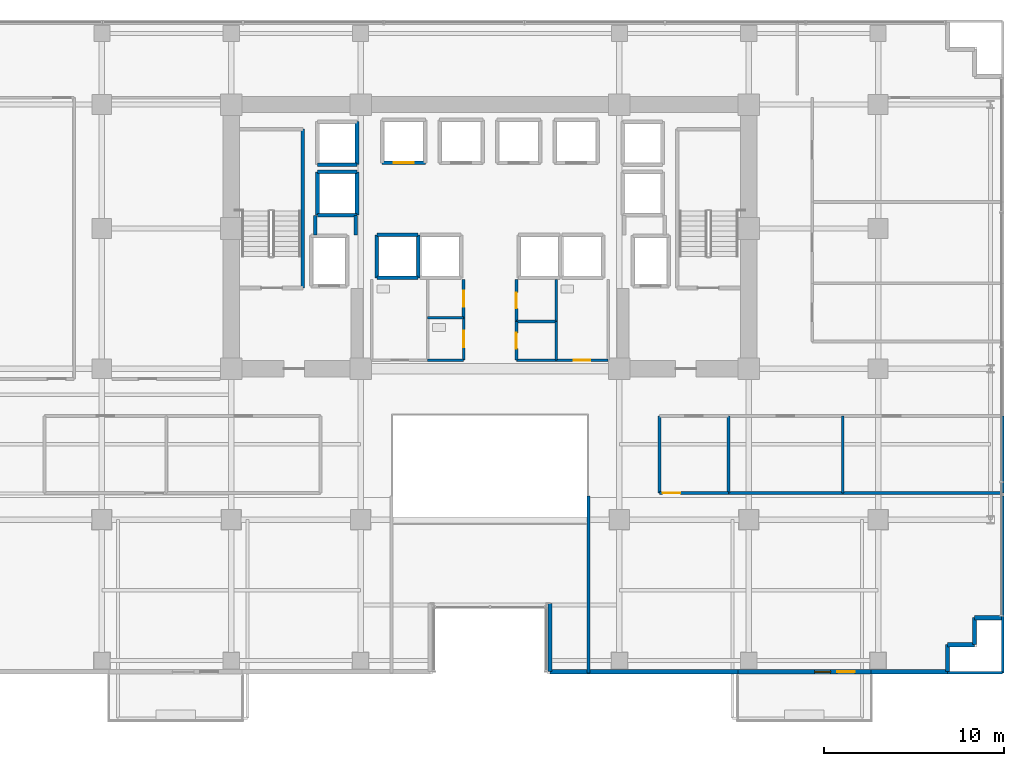
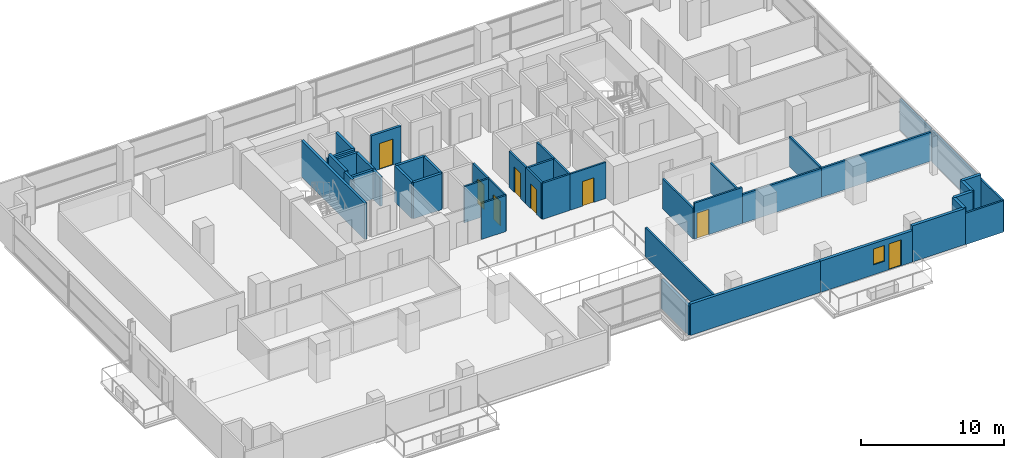
# One storey, part 24 of 31: 43 walls, 8 doors, 1 window, 9 openings.
"""IFC4 building model written with IfcOpenShell, lengths in metres."""

from ifc_helpers import new_model, si_unit, direction, frame, frame_2d, origin, place, context, subcontext, project, spatial, rectangle, extrude, source, transform, mapped, material, layer, layer_set, type_object, element, fill, save


model = new_model("IFC4")

# Units and contexts
model_context = context("Model", 3, precision=1e-05, world=origin(), true_north=direction((0.0, 1.0)))
body_context = subcontext(model_context, "Body", "Model", "MODEL_VIEW")
ifc_project = project(units=[si_unit("LENGTHUNIT", "METRE"), si_unit("AREAUNIT", "SQUARE_METRE"), si_unit("VOLUMEUNIT", "CUBIC_METRE"), si_unit("PLANEANGLEUNIT", "RADIAN"), si_unit("MASSUNIT", "GRAM", prefix="KILO")], contexts=[model_context])

# Site, building, storey
site_placement = place(None, origin())
site = spatial("IfcSite", under=ifc_project, at=site_placement, CompositionType="ELEMENT")
building_placement = place(site_placement, origin())
building = spatial("IfcBuilding", under=site, at=building_placement, Name="Zarnakvel Exchange Tower", CompositionType="ELEMENT")
storey_placement = place(building_placement, frame((0.0, 0.0, 47.199951171875)))
storey = spatial("IfcBuildingStorey", under=building, at=storey_placement, Name="L12", CompositionType="ELEMENT", Elevation=47.199951171875)

# Wall, openings, door, window
ifc_material_1 = material(Name="Precast concrete C40/50", Category="concrete")
ifc_layer_1 = layer(ifc_material_1, 0.239990234375)
ifc_layer_set_1 = layer_set([ifc_layer_1], Name="Precast concrete C40/50")
wall_type_1 = type_object("IfcWallType", Name="EW-02", PredefinedType="SOLIDWALL", material=ifc_layer_set_1)
wall_1_placement = place(storey_placement, frame((21.199951171875, -18.06005859375, 0.0), z_axis=(0.0, 0.0, 1.0), x_axis=(-1.0, 0.0, 0.0)))
wall_1 = element("IfcWall", 1, at=wall_1_placement, inside=storey, type_object=wall_type_1, Name="L12 Exterior Precast Spandrel Wall EW-BAL-L12-SE (EW-02)", PredefinedType="SOLIDWALL", context=body_context, shape_type="SweptSolid", body=[
    extrude(rectangle(XDim=7.39990234375, YDim=0.239990234375, at=frame_2d((3.699951171875, 0.0))), origin(), (0.0, 0.0, 1.0), 2.6650390625),
])
opening_1_placement = place(wall_1_placement, frame((0.887939453125, 0.0, 0.0)))
opening_1 = element("IfcOpeningElement", 2, at=opening_1_placement, cuts=wall_1, Name="Opening BD-L12-02", PredefinedType="OPENING", context=body_context, shape_type="SweptSolid", body=[
    extrude(rectangle(XDim=1.0, YDim=2.199951171875, at=frame_2d((0.5, 1.10009765625))), frame((0.0, 0.1298828125, 0.0), z_axis=(0.0, -1.0, 0.0), x_axis=(1.0, 0.0, 0.0)), (0.0, 0.0, 1.0), 0.260009765625),
])
opening_2_placement = place(wall_1_placement, frame((2.238037109375, 0.0, 0.85009765625)))
opening_2 = element("IfcOpeningElement", 3, at=opening_2_placement, cuts=wall_1, Name="Opening WN-06", PredefinedType="OPENING", context=body_context, shape_type="SweptSolid", body=[
    extrude(rectangle(XDim=0.89990234375, YDim=1.35009765625, at=frame_2d((0.449951171875, 0.675048828125))), frame((0.0, 0.1298828125, 0.0), z_axis=(0.0, -1.0, 0.0), x_axis=(1.0, 0.0, 0.0)), (0.0, 0.0, 1.0), 0.260009765625),
])
ifc_material_2 = material(Name="Architectural Bronze Anodised Aluminium", Category="aluminium")
door_type_1 = type_object("IfcDoorType", Name="DT-09", OperationType="NOTDEFINED", PredefinedType="DOOR", material=ifc_material_2)
shared_shape_1 = source(origin(), body_context, "Body", "SweptSolid", [
    extrude(rectangle(XDim=1.0, YDim=2.199951171875, at=frame_2d((0.5, 1.10009765625))), frame((0.0, 0.02490234375, 0.0), z_axis=(0.0, -1.0, 0.0), x_axis=(1.0, 0.0, 0.0)), (0.0, 0.0, 1.0), 0.050048828125),
])
door_1_placement = place(opening_1_placement, origin())
door_1 = element("IfcDoor", 4, at=door_1_placement, inside=storey, type_object=door_type_1, Name="L12 Planted Loggia Balcony Door BD-L12-02", OperationType="SINGLE_SWING_LEFT", OverallHeight=2.199951171875, OverallWidth=1.0, PredefinedType="DOOR", context=body_context, shape_type="MappedRepresentation", body=[
    mapped(shared_shape_1, transform((0.0, 0.0, 0.0), x_axis=(1.0, 0.0, 0.0), y_axis=(0.0, 1.0, 0.0), z_axis=(0.0, 0.0, 1.0), scale=1.0)),
])
fill(opening_1, door_1)
ifc_material_3 = material(Name="Double Low-E Laminated Vision Glass", Category="glass")
window_type = type_object("IfcWindowType", Name="WN-06", PartitioningType="SINGLE_PANEL", PredefinedType="WINDOW", material=ifc_material_3)
shared_shape_2 = source(origin(), body_context, "Body", "SweptSolid", [
    extrude(rectangle(XDim=0.89990234375, YDim=1.35009765625, at=frame_2d((0.449951171875, 0.675048828125))), frame((0.0, 0.030029296875, 0.0), z_axis=(0.0, -1.0, 0.0), x_axis=(1.0, 0.0, 0.0)), (0.0, 0.0, 1.0), 0.06005859375),
])
window_placement = place(opening_2_placement, origin())
window = element("IfcWindow", 5, at=window_placement, inside=storey, type_object=window_type, Name="L12 Loggia Daylight Window (WN-06)", OverallHeight=1.35009765625, OverallWidth=0.89990234375, PartitioningType="SINGLE_PANEL", PredefinedType="WINDOW", context=body_context, shape_type="MappedRepresentation", body=[
    mapped(shared_shape_2, transform((0.0, 0.0, 0.0), x_axis=(1.0, 0.0, 0.0), y_axis=(0.0, 1.0, 0.0), z_axis=(0.0, 0.0, 1.0), scale=1.0)),
])
fill(opening_2, window)

# Walls
for number, where, z_axis, x_axis, name in (
    (6, (26.9599609375, -15.06005859375, 0.0), (0.0, 0.0, 1.0), (1.0, 0.0, 0.0), "L12 Exterior Precast Spandrel Wall EWC-L12-11 (EW-02)"),
    (7, (26.9599609375, -16.56005859375, 0.0), (0.0, 0.0, 1.0), (0.0, 1.0, 0.0), "L12 Exterior Precast Spandrel Wall EWC-L12-12 (EW-02)"),
    (8, (25.4599609375, -16.56005859375, 0.0), (0.0, 0.0, 1.0), (1.0, 0.0, 0.0), "L12 Exterior Precast Spandrel Wall EWC-L12-13 (EW-02)"),
    (9, (25.4599609375, -18.06005859375, 0.0), (0.0, 0.0, 1.0), (0.0, 1.0, 0.0), "L12 Exterior Precast Spandrel Wall EWC-L12-14 (EW-02)"),
):
    element("IfcWall", number, at=place(storey_placement, frame(where, z_axis=z_axis, x_axis=x_axis)), inside=storey, type_object=wall_type_1, Name=name, PredefinedType="SOLIDWALL", context=body_context, shape_type="SweptSolid", body=[
        extrude(rectangle(XDim=1.5, YDim=0.239990234375, at=frame_2d((0.75, 0.0))), origin(), (0.0, 0.0, 1.0), 3.074951171875),
    ])
wall_2_placement = place(storey_placement, frame((21.199951171875, -18.06005859375, 0.0), z_axis=(0.0, 0.0, 1.0), x_axis=(1.0, 0.0, 0.0)))
element("IfcWall", 10, at=wall_2_placement, inside=storey, type_object=wall_type_1, Name="L12 Exterior Precast Spandrel Wall EWC-L12-15 (EW-02)", PredefinedType="SOLIDWALL", context=body_context, shape_type="SweptSolid", body=[
    extrude(rectangle(XDim=4.260009765625, YDim=0.239990234375, at=frame_2d((2.1298828125, 0.0))), origin(), (0.0, 0.0, 1.0), 3.074951171875),
])
wall_3_placement = place(storey_placement, frame((3.340087890625, -18.06005859375, 0.0), z_axis=(0.0, 0.0, 1.0), x_axis=(1.0, 0.0, 0.0)))
element("IfcWall", 11, at=wall_3_placement, inside=storey, type_object=wall_type_1, Name="L12 Exterior Precast Spandrel Wall EWC-L12-16 (EW-02)", PredefinedType="SOLIDWALL", context=body_context, shape_type="SweptSolid", body=[
    extrude(rectangle(XDim=10.4599609375, YDim=0.239990234375, at=frame_2d((5.22998046875, 0.0))), origin(), (0.0, 0.0, 1.0), 2.6650390625),
])
wall_4_placement = place(storey_placement, frame((3.340087890625, -14.260009765625, 0.0), z_axis=(0.0, 0.0, 1.0), x_axis=(0.0, -1.0, 0.0)))
element("IfcWall", 12, at=wall_4_placement, inside=storey, type_object=wall_type_1, Name="L12 Exterior Precast Spandrel Wall EWC-L12-17 (EW-02)", PredefinedType="SOLIDWALL", context=body_context, shape_type="SweptSolid", body=[
    extrude(rectangle(XDim=3.800048828125, YDim=0.239990234375, at=frame_2d((1.89990234375, 0.0))), origin(), (0.0, 0.0, 1.0), 2.465087890625),
])

# Wall, opening, door
ifc_material_4 = material(Name="Fire-Rated Gypsum Stud Partition", Category="gypsum")
ifc_layer_2 = layer(ifc_material_4, 0.14990234375)
ifc_layer_set_2 = layer_set([ifc_layer_2], Name="Fire-Rated Gypsum Stud Partition")
wall_type_2 = type_object("IfcWallType", Name="PT-01", PredefinedType="PARTITIONING", material=ifc_layer_set_2)
wall_5_placement = place(storey_placement, frame((-1.469970703125, 3.760009765625, 0.0), z_axis=(0.0, 0.0, 1.0), x_axis=(0.0, -1.0, 0.0)))
wall_5 = element("IfcWall", 13, at=wall_5_placement, inside=storey, type_object=wall_type_2, Name="L12 Partition Wall PWALL-L12-017 (PT-01)", PredefinedType="PARTITIONING", context=body_context, shape_type="SweptSolid", body=[
    extrude(rectangle(XDim=2.130126953125, YDim=0.14990234375, at=frame_2d((1.06494140625, 0.0))), origin(), (0.0, 0.0, 1.0), 3.074951171875),
])
opening_3_placement = place(wall_5_placement, frame((0.6201171875, 0.0, 0.0)))
opening_3 = element("IfcOpeningElement", 14, at=opening_3_placement, cuts=wall_5, Name="Opening D-L12-07", PredefinedType="OPENING", context=body_context, shape_type="SweptSolid", body=[
    extrude(rectangle(XDim=0.8798828125, YDim=2.10009765625, at=frame_2d((0.43994140625, 1.050048828125))), frame((0.0, 0.0849609375, 0.0), z_axis=(0.0, -1.0, 0.0), x_axis=(1.0, 0.0, 0.0)), (0.0, 0.0, 1.0), 0.169921875),
])
ifc_material_5 = material(Name="Painted Galvanised Steel S355", Category="steel")
door_type_2 = type_object("IfcDoorType", Name="DT-08", OperationType="NOTDEFINED", PredefinedType="DOOR", material=ifc_material_5)
shared_shape_3 = source(origin(), body_context, "Body", "SweptSolid", [
    extrude(rectangle(XDim=0.8798828125, YDim=2.10009765625, at=frame_2d((0.43994140625, 1.050048828125))), frame((0.0, 0.02490234375, 0.0), z_axis=(0.0, -1.0, 0.0), x_axis=(1.0, 0.0, 0.0)), (0.0, 0.0, 1.0), 0.050048828125),
])
door_2_placement = place(opening_3_placement, origin())
door_2 = element("IfcDoor", 15, at=door_2_placement, inside=storey, type_object=door_type_2, Name="L12 Core Comms Room Door D-L12-07", OperationType="SINGLE_SWING_LEFT", OverallHeight=2.10009765625, OverallWidth=0.8798828125, PredefinedType="DOOR", context=body_context, shape_type="MappedRepresentation", body=[
    mapped(shared_shape_3, transform((0.0, 0.0, 0.0), x_axis=(1.0, 0.0, 0.0), y_axis=(0.0, 1.0, 0.0), z_axis=(0.0, 0.0, 1.0), scale=1.0)),
])
fill(opening_3, door_2)

# Walls
for number, where, z_axis, x_axis, name in (
    (16, (3.679931640625, -0.72998046875, 0.0), (0.0, 0.0, 1.0), (-1.0, 0.0, 0.0), "L12 Partition Wall PWALL-L12-018 (PT-01)"),
    (17, (1.469970703125, 1.429931640625, 0.0), (0.0, 0.0, 1.0), (1.0, 0.0, 0.0), "L12 Partition Wall PWALL-L12-019 (PT-01)"),
):
    element("IfcWall", number, at=place(storey_placement, frame(where, z_axis=z_axis, x_axis=x_axis)), inside=storey, type_object=wall_type_2, Name=name, PredefinedType="PARTITIONING", context=body_context, shape_type="SweptSolid", body=[
        extrude(rectangle(XDim=2.2099609375, YDim=0.14990234375, at=frame_2d((1.10498046875, 0.0))), origin(), (0.0, 0.0, 1.0), 3.074951171875),
    ])

# Wall, opening, door
wall_6_placement = place(storey_placement, frame((1.469970703125, -0.72998046875, 0.0), z_axis=(0.0, 0.0, 1.0), x_axis=(0.0, 1.0, 0.0)))
wall_6 = element("IfcWall", 18, at=wall_6_placement, inside=storey, type_object=wall_type_2, Name="L12 Partition Wall PWALL-L12-020 (PT-01)", PredefinedType="PARTITIONING", context=body_context, shape_type="SweptSolid", body=[
    extrude(rectangle(XDim=2.159912109375, YDim=0.14990234375, at=frame_2d((1.080078125, 0.0))), origin(), (0.0, 0.0, 1.0), 3.074951171875),
])
opening_4_placement = place(wall_6_placement, frame((0.639892578125, 0.0, 0.0)))
opening_4 = element("IfcOpeningElement", 19, at=opening_4_placement, cuts=wall_6, Name="Opening D-L12-08", PredefinedType="OPENING", context=body_context, shape_type="SweptSolid", body=[
    extrude(rectangle(XDim=0.8798828125, YDim=2.10009765625, at=frame_2d((0.43994140625, 1.050048828125))), frame((0.0, 0.0849609375, 0.0), z_axis=(0.0, -1.0, 0.0), x_axis=(1.0, 0.0, 0.0)), (0.0, 0.0, 1.0), 0.169921875),
])
door_3_placement = place(opening_4_placement, origin())
door_3 = element("IfcDoor", 20, at=door_3_placement, inside=storey, type_object=door_type_2, Name="L12 Janitor Store Door D-L12-08", OperationType="SINGLE_SWING_RIGHT", OverallHeight=2.10009765625, OverallWidth=0.8798828125, PredefinedType="DOOR", context=body_context, shape_type="MappedRepresentation", body=[
    mapped(shared_shape_3, transform((0.0, 0.0, 0.0), x_axis=(1.0, 0.0, 0.0), y_axis=(0.0, 1.0, 0.0), z_axis=(0.0, 0.0, 1.0), scale=1.0)),
])
fill(opening_4, door_3)

# Wall
wall_7_placement = place(storey_placement, frame((3.679931640625, 1.429931640625, 0.0), z_axis=(0.0, 0.0, 1.0), x_axis=(0.0, -1.0, 0.0)))
element("IfcWall", 21, at=wall_7_placement, inside=storey, type_object=wall_type_2, Name="L12 Partition Wall PWALL-L12-021 (PT-01)", PredefinedType="PARTITIONING", context=body_context, shape_type="SweptSolid", body=[
    extrude(rectangle(XDim=2.159912109375, YDim=0.14990234375, at=frame_2d((1.080078125, 0.0))), origin(), (0.0, 0.0, 1.0), 3.074951171875),
])

# Wall, opening, door
wall_8_placement = place(storey_placement, frame((1.469970703125, 1.429931640625, 0.0), z_axis=(0.0, 0.0, 1.0), x_axis=(0.0, 1.0, 0.0)))
wall_8 = element("IfcWall", 22, at=wall_8_placement, inside=storey, type_object=wall_type_2, Name="L12 Partition Wall PWALL-L12-022 (PT-01)", PredefinedType="PARTITIONING", context=body_context, shape_type="SweptSolid", body=[
    extrude(rectangle(XDim=2.330078125, YDim=0.14990234375, at=frame_2d((1.1650390625, 0.0))), origin(), (0.0, 0.0, 1.0), 3.074951171875),
])
opening_5_placement = place(wall_8_placement, frame((0.72998046875, 0.0, 0.0)))
opening_5 = element("IfcOpeningElement", 23, at=opening_5_placement, cuts=wall_8, Name="Opening D-L12-09", PredefinedType="OPENING", context=body_context, shape_type="SweptSolid", body=[
    extrude(rectangle(XDim=0.8798828125, YDim=2.14990234375, at=frame_2d((0.43994140625, 1.074951171875))), frame((0.0, 0.0849609375, 0.0), z_axis=(0.0, -1.0, 0.0), x_axis=(1.0, 0.0, 0.0)), (0.0, 0.0, 1.0), 0.169921875),
])
ifc_material_6 = material(Name="Timber Acoustic Veneer", Category="wood")
door_type_3 = type_object("IfcDoorType", Name="DT-05", OperationType="NOTDEFINED", PredefinedType="DOOR", material=ifc_material_6)
shared_shape_4 = source(origin(), body_context, "Body", "SweptSolid", [
    extrude(rectangle(XDim=0.8798828125, YDim=2.14990234375, at=frame_2d((0.43994140625, 1.074951171875))), frame((0.0, 0.02490234375, 0.0), z_axis=(0.0, -1.0, 0.0), x_axis=(1.0, 0.0, 0.0)), (0.0, 0.0, 1.0), 0.050048828125),
])
door_4_placement = place(opening_5_placement, origin())
door_4 = element("IfcDoor", 24, at=door_4_placement, inside=storey, type_object=door_type_3, Name="L12 Stationery Store Door D-L12-09", OperationType="SINGLE_SWING_LEFT", OverallHeight=2.14990234375, OverallWidth=0.8798828125, PredefinedType="DOOR", context=body_context, shape_type="MappedRepresentation", body=[
    mapped(shared_shape_4, transform((0.0, 0.0, 0.0), x_axis=(1.0, 0.0, 0.0), y_axis=(0.0, 1.0, 0.0), z_axis=(0.0, 0.0, 1.0), scale=1.0)),
])
fill(opening_5, door_4)

# Wall
wall_9_placement = place(storey_placement, frame((3.679931640625, 3.760009765625, 0.0), z_axis=(0.0, 0.0, 1.0), x_axis=(0.0, -1.0, 0.0)))
element("IfcWall", 25, at=wall_9_placement, inside=storey, type_object=wall_type_2, Name="L12 Partition Wall PWALL-L12-023 (PT-01)", PredefinedType="PARTITIONING", context=body_context, shape_type="SweptSolid", body=[
    extrude(rectangle(XDim=2.330078125, YDim=0.14990234375, at=frame_2d((1.1650390625, 0.0))), origin(), (0.0, 0.0, 1.0), 3.074951171875),
])

# Wall, opening, door
wall_10_placement = place(storey_placement, frame((13.26806640625, -8.1201171875, 0.0), z_axis=(0.0, 0.0, 1.0), x_axis=(-1.0, 0.0, 0.0)))
wall_10 = element("IfcWall", 26, at=wall_10_placement, inside=storey, type_object=wall_type_2, Name="L12 Partition Wall PWALL-L12-036 (PT-01)", PredefinedType="PARTITIONING", context=body_context, shape_type="SweptSolid", body=[
    extrude(rectangle(XDim=3.838134765625, YDim=0.14990234375, at=frame_2d((1.9189453125, 0.0))), origin(), (0.0, 0.0, 1.0), 3.074951171875),
])
opening_6_placement = place(wall_10_placement, frame((2.677978515625, 0.0, 0.0)))
opening_6 = element("IfcOpeningElement", 27, at=opening_6_placement, cuts=wall_10, Name="Opening D-L12-17", PredefinedType="OPENING", context=body_context, shape_type="SweptSolid", body=[
    extrude(rectangle(XDim=0.97998046875, YDim=2.14990234375, at=frame_2d((0.489990234375, 1.074951171875))), frame((0.0, 0.0849609375, 0.0), z_axis=(0.0, -1.0, 0.0), x_axis=(1.0, 0.0, 0.0)), (0.0, 0.0, 1.0), 0.169921875),
])
shared_shape_5 = source(origin(), body_context, "Body", "SweptSolid", [
    extrude(rectangle(XDim=0.97998046875, YDim=2.14990234375, at=frame_2d((0.489990234375, 1.074951171875))), frame((0.0, 0.02490234375, 0.0), z_axis=(0.0, -1.0, 0.0), x_axis=(1.0, 0.0, 0.0)), (0.0, 0.0, 1.0), 0.050048828125),
])
door_5_placement = place(opening_6_placement, origin())
door_5 = element("IfcDoor", 28, at=door_5_placement, inside=storey, type_object=door_type_3, Name="L12 Quant Research Office Door D-L12-17", OperationType="SINGLE_SWING_LEFT", OverallHeight=2.14990234375, OverallWidth=0.97998046875, PredefinedType="DOOR", context=body_context, shape_type="MappedRepresentation", body=[
    mapped(shared_shape_5, transform((0.0, 0.0, 0.0), x_axis=(1.0, 0.0, 0.0), y_axis=(0.0, 1.0, 0.0), z_axis=(0.0, 0.0, 1.0), scale=1.0)),
])
fill(opening_6, door_5)

# Walls
for number, where, z_axis, x_axis, name in (
    (29, (9.429931640625, -8.1201171875, 0.0), (0.0, 0.0, 1.0), (0.0, 1.0, 0.0), "L12 Partition Wall PWALL-L12-038 (PT-01)"),
    (30, (13.26806640625, -3.830078125, 0.0), (0.0, 0.0, 1.0), (0.0, -1.0, 0.0), "L12 Partition Wall PWALL-L12-039 (PT-01)"),
):
    element("IfcWall", number, at=place(storey_placement, frame(where, z_axis=z_axis, x_axis=x_axis)), inside=storey, type_object=wall_type_2, Name=name, PredefinedType="PARTITIONING", context=body_context, shape_type="SweptSolid", body=[
        extrude(rectangle(XDim=4.2900390625, YDim=0.14990234375, at=frame_2d((2.14501953125, 0.0))), origin(), (0.0, 0.0, 1.0), 2.56494140625),
    ])
wall_11_placement = place(storey_placement, frame((19.634765625, -8.1201171875, 0.0), z_axis=(0.0, 0.0, 1.0), x_axis=(-1.0, 0.0, 0.0)))
element("IfcWall", 31, at=wall_11_placement, inside=storey, type_object=wall_type_2, Name="L12 Partition Wall PWALL-L12-040 (PT-01)", PredefinedType="PARTITIONING", context=body_context, shape_type="SweptSolid", body=[
    extrude(rectangle(XDim=6.36669921875, YDim=0.14990234375, at=frame_2d((3.183349609375, 0.0))), origin(), (0.0, 0.0, 1.0), 2.465087890625),
])
wall_12_placement = place(storey_placement, frame((19.634765625, -3.830078125, 0.0), z_axis=(0.0, 0.0, 1.0), x_axis=(0.0, -1.0, 0.0)))
element("IfcWall", 32, at=wall_12_placement, inside=storey, type_object=wall_type_2, Name="L12 Partition Wall PWALL-L12-042 (PT-01)", PredefinedType="PARTITIONING", context=body_context, shape_type="SweptSolid", body=[
    extrude(rectangle(XDim=4.2900390625, YDim=0.14990234375, at=frame_2d((2.14501953125, 0.0))), origin(), (0.0, 0.0, 1.0), 2.56494140625),
])
wall_13_placement = place(storey_placement, frame((28.530029296875, -8.1201171875, 0.0), z_axis=(0.0, 0.0, 1.0), x_axis=(-1.0, 0.0, 0.0)))
element("IfcWall", 33, at=wall_13_placement, inside=storey, type_object=wall_type_2, Name="L12 Partition Wall PWALL-L12-043 (PT-01)", PredefinedType="PARTITIONING", context=body_context, shape_type="SweptSolid", body=[
    extrude(rectangle(XDim=8.895263671875, YDim=0.14990234375, at=frame_2d((4.44775390625, 0.0))), origin(), (0.0, 0.0, 1.0), 2.465087890625),
])
wall_14_placement = place(storey_placement, frame((28.530029296875, -3.830078125, 0.0), z_axis=(0.0, 0.0, 1.0), x_axis=(0.0, -1.0, 0.0)))
element("IfcWall", 34, at=wall_14_placement, inside=storey, type_object=wall_type_2, Name="L12 Partition Wall PWALL-L12-045 (PT-01)", PredefinedType="PARTITIONING", context=body_context, shape_type="SweptSolid", body=[
    extrude(rectangle(XDim=4.2900390625, YDim=0.14990234375, at=frame_2d((2.14501953125, 0.0))), origin(), (0.0, 0.0, 1.0), 2.6650390625),
])
wall_15_placement = place(storey_placement, frame((28.530029296875, -18.1298828125, 0.0), z_axis=(0.0, 0.0, 1.0), x_axis=(-1.0, 0.0, 0.0)))
element("IfcWall", 35, at=wall_15_placement, inside=storey, type_object=wall_type_2, Name="L12 Partition Wall PWALL-L12-046 (PT-01)", PredefinedType="PARTITIONING", context=body_context, shape_type="SweptSolid", body=[
    extrude(rectangle(XDim=3.070068359375, YDim=0.14990234375, at=frame_2d((1.53515625, 0.0))), origin(), (0.0, 0.0, 1.0), 2.6650390625),
])
wall_16_placement = place(storey_placement, frame((5.47998046875, -18.1298828125, 0.0), z_axis=(0.0, 0.0, 1.0), x_axis=(0.0, 1.0, 0.0)))
element("IfcWall", 36, at=wall_16_placement, inside=storey, type_object=wall_type_2, Name="L12 Partition Wall PWALL-L12-047 (PT-01)", PredefinedType="PARTITIONING", context=body_context, shape_type="SweptSolid", body=[
    extrude(rectangle(XDim=9.849853515625, YDim=0.14990234375, at=frame_2d((4.9248046875, 0.0))), origin(), (0.0, 0.0, 1.0), 2.465087890625),
])
wall_17_placement = place(storey_placement, frame((28.530029296875, -8.280029296875, 0.0), z_axis=(0.0, 0.0, 1.0), x_axis=(0.0, -1.0, 0.0)))
element("IfcWall", 37, at=wall_17_placement, inside=storey, type_object=wall_type_2, Name="L12 Partition Wall PWALL-L12-048 (PT-01)", PredefinedType="PARTITIONING", context=body_context, shape_type="SweptSolid", body=[
    extrude(rectangle(XDim=9.849853515625, YDim=0.14990234375, at=frame_2d((4.9248046875, 0.0))), origin(), (0.0, 0.0, 1.0), 2.6650390625),
])
ifc_layer_3 = layer(ifc_material_4, 0.179931640625)
ifc_layer_set_3 = layer_set([ifc_layer_3], Name="Fire-Rated Gypsum Stud Partition")
wall_type_3 = type_object("IfcWallType", Name="PT-02", PredefinedType="PARTITIONING", material=ifc_layer_set_3)
wall_18_placement = place(storey_placement, frame((-9.72998046875, 6.239990234375, 0.0), z_axis=(0.0, 0.0, 1.0), x_axis=(0.0, 1.0, 0.0)))
element("IfcWall", 38, at=wall_18_placement, inside=storey, type_object=wall_type_3, Name="L12 Partition Wall PWALL-L12-007 (PT-02)", PredefinedType="PARTITIONING", context=body_context, shape_type="SweptSolid", body=[
    extrude(rectangle(XDim=1.090087890625, YDim=0.179931640625, at=frame_2d((0.544921875, 0.0))), origin(), (0.0, 0.0, 1.0), 3.074951171875),
])
wall_19_placement = place(storey_placement, frame((-7.469970703125, 7.330078125, 0.0), z_axis=(0.0, 0.0, 1.0), x_axis=(0.0, -1.0, 0.0)))
element("IfcWall", 39, at=wall_19_placement, inside=storey, type_object=wall_type_3, Name="L12 Partition Wall PWALL-L12-008 (PT-02)", PredefinedType="PARTITIONING", context=body_context, shape_type="SweptSolid", body=[
    extrude(rectangle(XDim=1.090087890625, YDim=0.179931640625, at=frame_2d((0.544921875, 0.0))), origin(), (0.0, 0.0, 1.0), 2.465087890625),
])
ifc_material_7 = material(Name="Moisture-Resistant Tile-Faced Partition", Category="gypsum")
ifc_layer_4 = layer(ifc_material_7, 0.135009765625)
ifc_layer_set_4 = layer_set([ifc_layer_4], Name="Moisture-Resistant Tile-Faced Partition")
wall_type_4 = type_object("IfcWallType", Name="PT-03", PredefinedType="PARTITIONING", material=ifc_layer_set_4)
for number, where, z_axis, x_axis, name in (
    (40, (-1.469970703125, -0.72998046875, 0.0), (0.0, 0.0, 1.0), (-1.0, 0.0, 0.0), "L12 Partition Wall PWALL-L12-014 (PT-03)"),
    (41, (-3.469970703125, 1.6298828125, 0.0), (0.0, 0.0, 1.0), (1.0, 0.0, 0.0), "L12 Partition Wall PWALL-L12-015 (PT-03)"),
):
    element("IfcWall", number, at=place(storey_placement, frame(where, z_axis=z_axis, x_axis=x_axis)), inside=storey, type_object=wall_type_4, Name=name, PredefinedType="PARTITIONING", context=body_context, shape_type="SweptSolid", body=[
        extrude(rectangle(XDim=2.0, YDim=0.135009765625, at=frame_2d((1.0, 0.0))), origin(), (0.0, 0.0, 1.0), 3.074951171875),
    ])

# Wall, opening, door
wall_20_placement = place(storey_placement, frame((-1.469970703125, 1.6298828125, 0.0), z_axis=(0.0, 0.0, 1.0), x_axis=(0.0, -1.0, 0.0)))
wall_20 = element("IfcWall", 42, at=wall_20_placement, inside=storey, type_object=wall_type_4, Name="L12 Partition Wall PWALL-L12-016 (PT-03)", PredefinedType="PARTITIONING", context=body_context, shape_type="SweptSolid", body=[
    extrude(rectangle(XDim=2.35986328125, YDim=0.135009765625, at=frame_2d((1.179931640625, 0.0))), origin(), (0.0, 0.0, 1.0), 3.074951171875),
])
opening_7_placement = place(wall_20_placement, frame((0.719970703125, 0.0, 0.0)))
opening_7 = element("IfcOpeningElement", 43, at=opening_7_placement, cuts=wall_20, Name="Opening D-L12-06", PredefinedType="OPENING", context=body_context, shape_type="SweptSolid", body=[
    extrude(rectangle(XDim=0.919921875, YDim=2.10009765625, at=frame_2d((0.4599609375, 1.050048828125))), frame((0.0, 0.077392578125, 0.0), z_axis=(0.0, -1.0, 0.0), x_axis=(1.0, 0.0, 0.0)), (0.0, 0.0, 1.0), 0.155029296875),
])
ifc_material_8 = material(Name="Moisture-Resistant Laminate Timber", Category="wood")
door_type_4 = type_object("IfcDoorType", Name="DT-07", OperationType="NOTDEFINED", PredefinedType="DOOR", material=ifc_material_8)
shared_shape_6 = source(origin(), body_context, "Body", "SweptSolid", [
    extrude(rectangle(XDim=0.919921875, YDim=2.10009765625, at=frame_2d((0.4599609375, 1.050048828125))), frame((0.0, 0.02490234375, 0.0), z_axis=(0.0, -1.0, 0.0), x_axis=(1.0, 0.0, 0.0)), (0.0, 0.0, 1.0), 0.050048828125),
])
door_6_placement = place(opening_7_placement, origin())
door_6 = element("IfcDoor", 44, at=door_6_placement, inside=storey, type_object=door_type_4, Name="L12 Accessible Toilet Door D-L12-06", OperationType="SINGLE_SWING_RIGHT", OverallHeight=2.10009765625, OverallWidth=0.919921875, PredefinedType="DOOR", context=body_context, shape_type="MappedRepresentation", body=[
    mapped(shared_shape_6, transform((0.0, 0.0, 0.0), x_axis=(1.0, 0.0, 0.0), y_axis=(0.0, 1.0, 0.0), z_axis=(0.0, 0.0, 1.0), scale=1.0)),
])
fill(opening_7, door_6)

wall_21_placement = place(storey_placement, frame((6.580078125, -0.72998046875, 0.0), z_axis=(0.0, 0.0, 1.0), x_axis=(-1.0, 0.0, 0.0)))
wall_21 = element("IfcWall", 45, at=wall_21_placement, inside=storey, type_object=wall_type_4, Name="L12 Partition Wall PWALL-L12-024 (PT-03)", PredefinedType="PARTITIONING", context=body_context, shape_type="SweptSolid", body=[
    extrude(rectangle(XDim=2.900146484375, YDim=0.135009765625, at=frame_2d((1.4501953125, 0.0))), origin(), (0.0, 0.0, 1.0), 3.074951171875),
])
opening_8_placement = place(wall_21_placement, frame((0.989990234375, 0.0, 0.0)))
opening_8 = element("IfcOpeningElement", 46, at=opening_8_placement, cuts=wall_21, Name="Opening D-L12-10", PredefinedType="OPENING", context=body_context, shape_type="SweptSolid", body=[
    extrude(rectangle(XDim=0.919921875, YDim=2.10009765625, at=frame_2d((0.4599609375, 1.050048828125))), frame((0.0, 0.077392578125, 0.0), z_axis=(0.0, -1.0, 0.0), x_axis=(1.0, 0.0, 0.0)), (0.0, 0.0, 1.0), 0.155029296875),
])
door_7_placement = place(opening_8_placement, origin())
door_7 = element("IfcDoor", 47, at=door_7_placement, inside=storey, type_object=door_type_4, Name="L12 Female Toilet Door D-L12-10", OperationType="SINGLE_SWING_RIGHT", OverallHeight=2.10009765625, OverallWidth=0.919921875, PredefinedType="DOOR", context=body_context, shape_type="MappedRepresentation", body=[
    mapped(shared_shape_6, transform((0.0, 0.0, 0.0), x_axis=(1.0, 0.0, 0.0), y_axis=(0.0, 1.0, 0.0), z_axis=(0.0, 0.0, 1.0), scale=1.0)),
])
fill(opening_8, door_7)

ifc_material_9 = material(Name="Concrete C40/50", Category="concrete")
ifc_layer_5 = layer(ifc_material_9, 0.199951171875)
ifc_layer_set_5 = layer_set([ifc_layer_5], Name="Concrete C40/50")
wall_type_5 = type_object("IfcWallType", Name="SW-01", PredefinedType="SOLIDWALL", material=ifc_layer_set_5)
wall_22_placement = place(storey_placement, frame((-3.60009765625, 10.25, 0.0), z_axis=(0.0, 0.0, 1.0), x_axis=(-1.0, 0.0, 0.0)))
wall_22 = element("IfcWall", 48, at=wall_22_placement, inside=storey, type_object=wall_type_5, Name="L12 PL-01 Hoistway Wall South", PredefinedType="SOLIDWALL", context=body_context, shape_type="SweptSolid", body=[
    extrude(rectangle(XDim=2.39990234375, YDim=0.199951171875, at=frame_2d((1.199951171875, 0.0))), origin(), (0.0, 0.0, 1.0), 3.074951171875),
])
opening_9_placement = place(wall_22_placement, frame((0.64990234375, 0.0, 0.0)))
opening_9 = element("IfcOpeningElement", 49, at=opening_9_placement, cuts=wall_22, Name="Opening LD-PL-01-L12", PredefinedType="OPENING", context=body_context, shape_type="SweptSolid", body=[
    extrude(rectangle(XDim=1.10009765625, YDim=2.199951171875, at=frame_2d((0.550048828125, 1.10009765625))), frame((0.0, 0.10986328125, 0.0), z_axis=(0.0, -1.0, 0.0), x_axis=(1.0, 0.0, 0.0)), (0.0, 0.0, 1.0), 0.219970703125),
])
door_type_5 = type_object("IfcDoorType", Name="LDT-02", OperationType="NOTDEFINED", PredefinedType="DOOR", material=ifc_material_2)
shared_shape_7 = source(origin(), body_context, "Body", "SweptSolid", [
    extrude(rectangle(XDim=1.10009765625, YDim=2.199951171875, at=frame_2d((0.550048828125, 1.10009765625))), frame((0.0, 0.02490234375, 0.0), z_axis=(0.0, -1.0, 0.0), x_axis=(1.0, 0.0, 0.0)), (0.0, 0.0, 1.0), 0.050048828125),
])
door_8_placement = place(opening_9_placement, origin())
door_8 = element("IfcDoor", 50, at=door_8_placement, inside=storey, type_object=door_type_5, Name="L12 PL-01 Lift Landing Door LD-PL-01-L12", OperationType="DOUBLE_DOOR_SLIDING", OverallHeight=2.199951171875, OverallWidth=1.10009765625, PredefinedType="DOOR", context=body_context, shape_type="MappedRepresentation", body=[
    mapped(shared_shape_7, transform((0.0, 0.0, 0.0), x_axis=(1.0, 0.0, 0.0), y_axis=(0.0, 1.0, 0.0), z_axis=(0.0, 0.0, 1.0), scale=1.0)),
])
fill(opening_9, door_8)

# Walls
for number, where, z_axis, x_axis, name in (
    (51, (-4.0, 3.85009765625, 0.0), (0.0, 0.0, 1.0), (-1.0, 0.0, 0.0), "L12 PL-05 Hoistway Wall South"),
    (52, (-6.300048828125, 6.25, 0.0), (0.0, 0.0, 1.0), (1.0, 0.0, 0.0), "L12 PL-05 Hoistway Wall North"),
):
    element("IfcWall", number, at=place(storey_placement, frame(where, z_axis=z_axis, x_axis=x_axis)), inside=storey, type_object=wall_type_5, Name=name, PredefinedType="SOLIDWALL", context=body_context, shape_type="SweptSolid", body=[
        extrude(rectangle(XDim=2.300048828125, YDim=0.199951171875, at=frame_2d((1.14990234375, 0.0))), origin(), (0.0, 0.0, 1.0), 3.074951171875),
    ])
for number, where, z_axis, x_axis, name in (
    (53, (-6.300048828125, 3.85009765625, 0.0), (0.0, 0.0, 1.0), (0.0, 1.0, 0.0), "L12 PL-05 Hoistway Wall West"),
    (54, (-4.0, 6.25, 0.0), (0.0, 0.0, 1.0), (0.0, -1.0, 0.0), "L12 PL-05 Hoistway Wall East"),
):
    element("IfcWall", number, at=place(storey_placement, frame(where, z_axis=z_axis, x_axis=x_axis)), inside=storey, type_object=wall_type_5, Name=name, PredefinedType="SOLIDWALL", context=body_context, shape_type="SweptSolid", body=[
        extrude(rectangle(XDim=2.39990234375, YDim=0.199951171875, at=frame_2d((1.199951171875, 0.0))), origin(), (0.0, 0.0, 1.0), 3.074951171875),
    ])
for number, where, z_axis, x_axis, name in (
    (55, (-7.39990234375, 7.35009765625, 0.0), (0.0, 0.0, 1.0), (-1.0, 0.0, 0.0), "L12 PL-09 Hoistway Wall South"),
    (56, (-9.60009765625, 9.75, 0.0), (0.0, 0.0, 1.0), (1.0, 0.0, 0.0), "L12 PL-09 Hoistway Wall North"),
):
    element("IfcWall", number, at=place(storey_placement, frame(where, z_axis=z_axis, x_axis=x_axis)), inside=storey, type_object=wall_type_5, Name=name, PredefinedType="SOLIDWALL", context=body_context, shape_type="SweptSolid", body=[
        extrude(rectangle(XDim=2.2001953125, YDim=0.199951171875, at=frame_2d((1.10009765625, 0.0))), origin(), (0.0, 0.0, 1.0), 2.465087890625),
    ])
wall_23_placement = place(storey_placement, frame((-9.60009765625, 7.35009765625, 0.0), z_axis=(0.0, 0.0, 1.0), x_axis=(0.0, 1.0, 0.0)))
element("IfcWall", 57, at=wall_23_placement, inside=storey, type_object=wall_type_5, Name="L12 PL-09 Hoistway Wall West", PredefinedType="SOLIDWALL", context=body_context, shape_type="SweptSolid", body=[
    extrude(rectangle(XDim=2.39990234375, YDim=0.199951171875, at=frame_2d((1.199951171875, 0.0))), origin(), (0.0, 0.0, 1.0), 3.074951171875),
])
wall_24_placement = place(storey_placement, frame((-7.39990234375, 9.75, 0.0), z_axis=(0.0, 0.0, 1.0), x_axis=(0.0, -1.0, 0.0)))
element("IfcWall", 58, at=wall_24_placement, inside=storey, type_object=wall_type_5, Name="L12 PL-09 Hoistway Wall East", PredefinedType="SOLIDWALL", context=body_context, shape_type="SweptSolid", body=[
    extrude(rectangle(XDim=2.39990234375, YDim=0.199951171875, at=frame_2d((1.199951171875, 0.0))), origin(), (0.0, 0.0, 1.0), 2.465087890625),
])
wall_25_placement = place(storey_placement, frame((-7.39990234375, 10.14990234375, 0.0), z_axis=(0.0, 0.0, 1.0), x_axis=(-1.0, 0.0, 0.0)))
element("IfcWall", 59, at=wall_25_placement, inside=storey, type_object=wall_type_5, Name="L12 PL-10 Hoistway Wall South", PredefinedType="SOLIDWALL", context=body_context, shape_type="SweptSolid", body=[
    extrude(rectangle(XDim=2.2001953125, YDim=0.199951171875, at=frame_2d((1.10009765625, 0.0))), origin(), (0.0, 0.0, 1.0), 2.465087890625),
])
wall_26_placement = place(storey_placement, frame((-7.39990234375, 12.550048828125, 0.0), z_axis=(0.0, 0.0, 1.0), x_axis=(0.0, -1.0, 0.0)))
element("IfcWall", 60, at=wall_26_placement, inside=storey, type_object=wall_type_5, Name="L12 PL-10 Hoistway Wall East", PredefinedType="SOLIDWALL", context=body_context, shape_type="SweptSolid", body=[
    extrude(rectangle(XDim=2.400146484375, YDim=0.199951171875, at=frame_2d((1.2001953125, 0.0))), origin(), (0.0, 0.0, 1.0), 2.465087890625),
])
ifc_layer_6 = layer(ifc_material_9, 0.199951171875)
ifc_layer_set_6 = layer_set([ifc_layer_6], Name="Concrete C40/50")
wall_type_6 = type_object("IfcWallType", Name="SW-02", PredefinedType="SOLIDWALL", material=ifc_layer_set_6)
wall_27_placement = place(storey_placement, frame((-10.409912109375, 12.1298828125, 0.0), z_axis=(0.0, 0.0, 1.0), x_axis=(0.0, -1.0, 0.0)))
element("IfcWall", 61, at=wall_27_placement, inside=storey, type_object=wall_type_6, Name="L12 Stairwell Core Wall PWALL-L12-003 (SW-02)", PredefinedType="SOLIDWALL", context=body_context, shape_type="SweptSolid", body=[
    extrude(rectangle(XDim=8.83984375, YDim=0.199951171875, at=frame_2d((4.419921875, 0.0))), origin(), (0.0, 0.0, 1.0), 3.074951171875),
])

save(model, "model.ifc")
